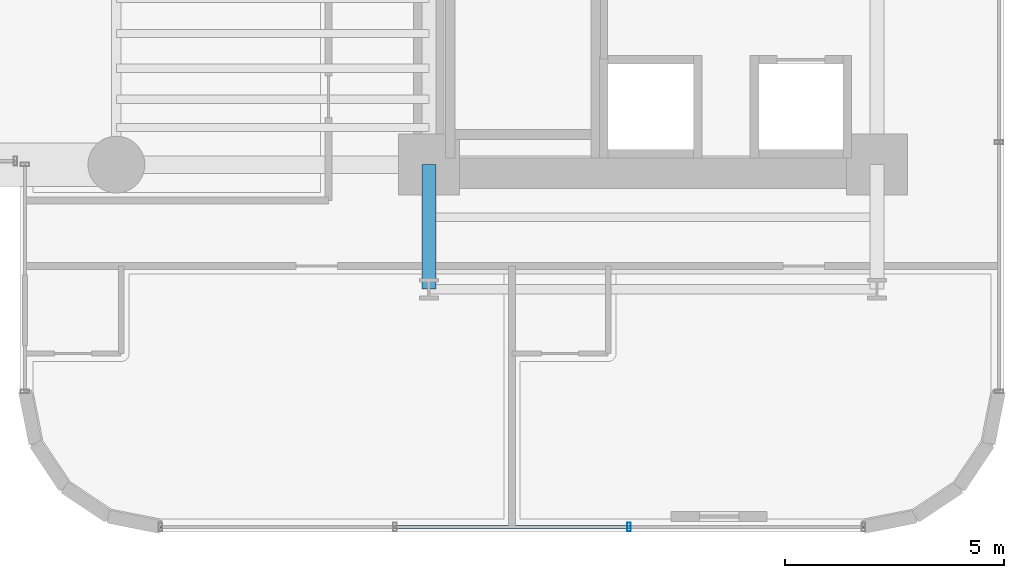
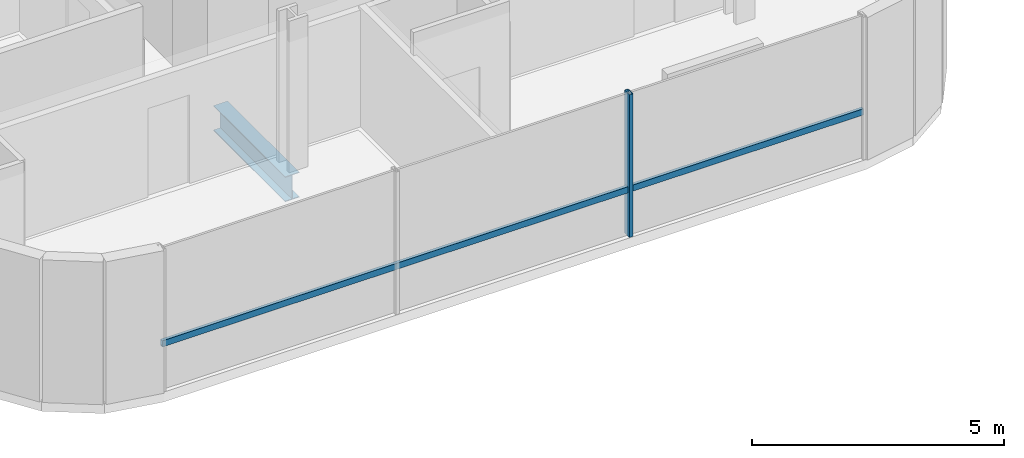
# One storey, part 3 of 41: 2 members, 1 beam, 1 element without a shape of its own.
"""IFC4 building model written with IfcOpenShell, lengths in metres."""

from ifc_helpers import new_model, si_unit, direction, frame, origin, origin_2d, place, context, subcontext, project, spatial, hollow_rectangle, i_section, extrude, source, transform, mapped, material, material_profile, profile_set, type_object, element, aggregate, save


model = new_model("IFC4")

# Units and contexts
model_context = context("Model", 3, precision=1e-05, world=origin(), true_north=direction((0.0, 1.0)))
body_context = subcontext(model_context, "Body", "Model", "MODEL_VIEW")
ifc_project = project(units=[si_unit("LENGTHUNIT", "METRE"), si_unit("AREAUNIT", "SQUARE_METRE"), si_unit("VOLUMEUNIT", "CUBIC_METRE"), si_unit("PLANEANGLEUNIT", "RADIAN"), si_unit("MASSUNIT", "GRAM", prefix="KILO")], contexts=[model_context])

# Site, building, storey
site_placement = place(None, origin())
site = spatial("IfcSite", under=ifc_project, at=site_placement, CompositionType="ELEMENT")
building_placement = place(site_placement, origin())
building = spatial("IfcBuilding", under=site, at=building_placement, Name="Valdorenza Pilgrim Sanctuary Tower", CompositionType="ELEMENT")
storey_placement = place(building_placement, frame((0.0, 0.0, 59.300048828125)))
storey = spatial("IfcBuildingStorey", under=building, at=storey_placement, Name="L14", CompositionType="ELEMENT", Elevation=59.300048828125)

# Beam
ifc_material_1 = material(Name="Steel ASTM A992 Grade 50", Category="steel")
ifc_material_profile_1 = material_profile(ifc_material_1, i_section(OverallWidth=0.323974609375, OverallDepth=0.611083984375, WebThickness=0.0126953125, FlangeThickness=0.01904296875, at=origin_2d()), Name="W24X104")
ifc_profile_set_1 = profile_set([ifc_material_profile_1], Name="Steel ASTM A992 Grade 50")
beam_type = type_object("IfcBeamType", Name="STR-BM-GRD-W24B", PredefinedType="BEAM", material=ifc_profile_set_1)
shared_shape_1 = source(origin(), body_context, "Body", "SweptSolid", [
    extrude(i_section(OverallWidth=0.323974609375, OverallDepth=0.611083984375, WebThickness=0.0126953125, FlangeThickness=0.01904296875, at=origin_2d()), origin(), (0.0, 0.0, 1.0), 2.849853515625),
])
beam_placement = place(storey_placement, frame((-22.64990234375, -13.449951171875, -0.545654296875), z_axis=(0.0, 1.0, 0.0), x_axis=(-1.0, 0.0, 0.0)))
element("IfcBeam", 1, at=beam_placement, inside=storey, type_object=beam_type, Name="L14 Floor Girder WA-S-LW", PredefinedType="BEAM", context=body_context, shape_type="MappedRepresentation", body=[
    mapped(shared_shape_1, transform((0.0, 0.0, 0.0), x_axis=(1.0, 0.0, 0.0), y_axis=(0.0, 1.0, 0.0), z_axis=(0.0, 0.0, 1.0), scale=1.0)),
])

# Curtain wall, members
ifc_material_2 = material(Name="Curtain-wall IGU glazing", Category="glass")
curtain_wall_type = type_object("IfcCurtainWallType", Name="CW-SYS-02", PredefinedType="NOTDEFINED", material=ifc_material_2)
curtain_wall_placement = place(storey_placement, origin())
curtain_wall = element("IfcCurtainWall", 2, at=curtain_wall_placement, inside=storey, type_object=curtain_wall_type, Name="L14 Curtain Wall CW-L14-1-46", PredefinedType="NOTDEFINED")
ifc_material_3 = material(Name="Anodised aluminium AW-6060", Category="aluminium")
ifc_material_profile_2 = material_profile(ifc_material_3, hollow_rectangle(XDim=0.0849609375, YDim=0.199951171875, WallThickness=0.0048828125, at=origin_2d()), Name="ALU-M 200x85x5")
ifc_profile_set_2 = profile_set([ifc_material_profile_2], Name="Anodised aluminium AW-6060")
member_type_1 = type_object("IfcMemberType", Name="CW-MUL-02", PredefinedType="MULLION", material=ifc_profile_set_2)
shared_shape_2 = source(origin(), body_context, "Body", "SweptSolid", [
    extrude(hollow_rectangle(XDim=0.0849609375, YDim=0.199951171875, WallThickness=0.0048828125, at=origin_2d()), origin(), (0.0, 0.0, 1.0), 3.4599609375),
])
member_1_placement = place(storey_placement, frame((-18.0703125, -18.889892578125, 0.0), z_axis=(0.0, 0.0, 1.0), x_axis=(-1.0, 0.0, 0.0)))
member_1 = element("IfcMember", 3, at=member_1_placement, type_object=member_type_1, Name="CW-L14-1-46 Mullion 2", PredefinedType="MULLION", context=body_context, shape_type="MappedRepresentation", body=[
    mapped(shared_shape_2, transform((0.0, 0.0, 0.0), x_axis=(1.0, 0.0, 0.0), y_axis=(0.0, 1.0, 0.0), z_axis=(0.0, 0.0, 1.0), scale=1.0)),
])
ifc_material_profile_3 = material_profile(ifc_material_3, hollow_rectangle(XDim=0.074951171875, YDim=0.14990234375, WallThickness=0.00390625, at=origin_2d()), Name="ALU-T 150x75x4")
ifc_profile_set_3 = profile_set([ifc_material_profile_3], Name="Anodised aluminium AW-6060")
member_type_2 = type_object("IfcMemberType", Name="CW-TRN-02", PredefinedType="USERDEFINED", material=ifc_profile_set_3)
shared_shape_3 = source(origin(), body_context, "Body", "SweptSolid", [
    extrude(hollow_rectangle(XDim=0.074951171875, YDim=0.14990234375, WallThickness=0.00390625, at=origin_2d()), origin(), (0.0, 0.0, 1.0), 16.07861328125),
])
member_2_placement = place(storey_placement, frame((-12.710693359375, -18.889892578125, 1.119873046875), z_axis=(-1.0, 0.0, 0.0), x_axis=(0.0, -1.0, 0.0)))
member_2 = element("IfcMember", 4, at=member_2_placement, type_object=member_type_2, Name="CW-L14-1-46 Transom 1", ObjectType="TRANSOM", PredefinedType="USERDEFINED", context=body_context, shape_type="MappedRepresentation", body=[
    mapped(shared_shape_3, transform((0.0, 0.0, 0.0), x_axis=(1.0, 0.0, 0.0), y_axis=(0.0, 1.0, 0.0), z_axis=(0.0, 0.0, 1.0), scale=1.0)),
])
aggregate(curtain_wall, [member_1, member_2])

save(model, "model.ifc")
